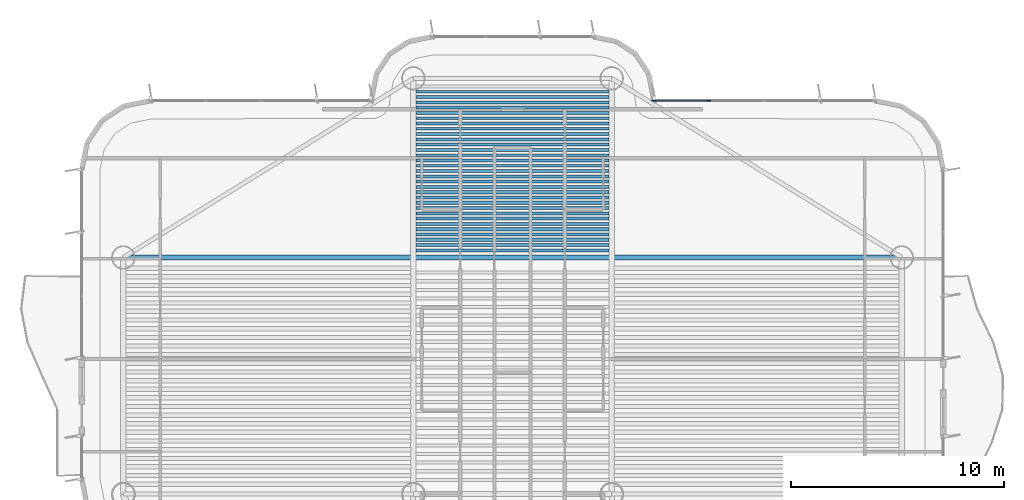
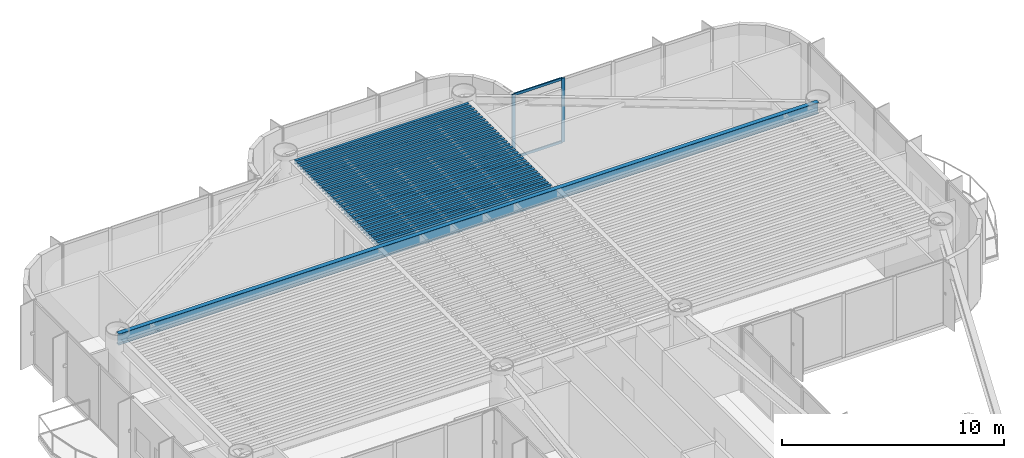
# One storey, part 6 of 15: 32 beams, 4 members, 1 element without a shape of its own.
"""IFC4 building model written with IfcOpenShell, lengths in metres."""

from ifc_helpers import new_model, si_unit, direction, frame, origin, origin_2d, place, context, subcontext, project, spatial, rectangle, i_section, extrude, source, transform, mapped, material, layer, layer_set, material_profile, profile_set, type_object, element, aggregate, save


model = new_model("IFC4")

# Units and contexts
model_context = context("Model", 3, precision=1e-05, world=origin(), true_north=direction((0.0, 1.0)))
body_context = subcontext(model_context, "Body", "Model", "MODEL_VIEW")
ifc_project = project(units=[si_unit("LENGTHUNIT", "METRE"), si_unit("AREAUNIT", "SQUARE_METRE"), si_unit("VOLUMEUNIT", "CUBIC_METRE"), si_unit("PLANEANGLEUNIT", "RADIAN"), si_unit("MASSUNIT", "GRAM", prefix="KILO")], contexts=[model_context])

# Site, building, storey
site_placement = place(None, origin())
site = spatial("IfcSite", under=ifc_project, at=site_placement, CompositionType="ELEMENT")
building_placement = place(site_placement, origin())
building = spatial("IfcBuilding", under=site, at=building_placement, Name="Brelvock Crest Care Tower", CompositionType="ELEMENT")
storey_placement = place(building_placement, frame((0.0, 0.0, 163.97998046875)))
storey = spatial("IfcBuildingStorey", under=building, at=storey_placement, Name="L41", CompositionType="ELEMENT", Elevation=163.97998046875)

# Beams
ifc_material_1 = material(Name="Steel Grade 350", Category="steel")
ifc_material_profile_1 = material_profile(ifc_material_1, i_section(OverallWidth=0.14599609375, OverallDepth=0.256103515625, WebThickness=0.00634765625, FlangeThickness=0.010986328125, FilletRadius=0.0087890625, at=origin_2d()), Name="250UB37.3")
ifc_profile_set_1 = profile_set([ifc_material_profile_1], Name="Steel Grade 350")
beam_type_1 = type_object("IfcBeamType", Name="BM-J3", PredefinedType="JOIST", material=ifc_profile_set_1)
shared_shape_1 = source(origin(), body_context, "Body", "SweptSolid", [
    extrude(i_section(OverallWidth=0.14599609375, OverallDepth=0.256103515625, WebThickness=0.00634765625, FlangeThickness=0.010986328125, FilletRadius=0.0087890625, at=origin_2d()), origin(), (0.0, 0.0, 1.0), 9.06982421875),
])
for number, where, z_axis, x_axis, name in (
    (1, (31.465087890625, 46.385986328125, 3.402099609375), (1.0, 0.0, 0.0), (0.0, 1.0, 0.0), "BM-JN-L41-1"),
    (2, (31.465087890625, 46.6337890625, 3.402099609375), (1.0, 0.0, 0.0), (0.0, 1.0, 0.0), "BM-JN-L41-2"),
    (3, (31.465087890625, 46.881591796875, 3.402099609375), (1.0, 0.0, 0.0), (0.0, 1.0, 0.0), "BM-JN-L41-3"),
    (4, (31.465087890625, 47.12939453125, 3.402099609375), (1.0, 0.0, 0.0), (0.0, 1.0, 0.0), "BM-JN-L41-4"),
    (5, (31.465087890625, 47.377197265625, 3.402099609375), (1.0, 0.0, 0.0), (0.0, 1.0, 0.0), "BM-JN-L41-5"),
    (6, (31.465087890625, 47.625, 3.402099609375), (1.0, 0.0, 0.0), (0.0, 1.0, 0.0), "BM-JN-L41-6"),
    (7, (31.465087890625, 47.872802734375, 3.402099609375), (1.0, 0.0, 0.0), (0.0, 1.0, 0.0), "BM-JN-L41-7"),
    (8, (31.465087890625, 48.12060546875, 3.402099609375), (1.0, 0.0, 0.0), (0.0, 1.0, 0.0), "BM-JN-L41-8"),
    (9, (31.465087890625, 48.368408203125, 3.402099609375), (1.0, 0.0, 0.0), (0.0, 1.0, 0.0), "BM-JN-L41-9"),
    (10, (31.465087890625, 48.6162109375, 3.402099609375), (1.0, 0.0, 0.0), (0.0, 1.0, 0.0), "BM-JN-L41-10"),
    (11, (31.465087890625, 48.864013671875, 3.402099609375), (1.0, 0.0, 0.0), (0.0, 1.0, 0.0), "BM-JN-L41-11"),
    (12, (31.465087890625, 49.11181640625, 3.402099609375), (1.0, 0.0, 0.0), (0.0, 1.0, 0.0), "BM-JN-L41-12"),
    (13, (31.465087890625, 49.359619140625, 3.402099609375), (1.0, 0.0, 0.0), (0.0, 1.0, 0.0), "BM-JN-L41-13"),
):
    element("IfcBeam", number, at=place(storey_placement, frame(where, z_axis=z_axis, x_axis=x_axis)), inside=storey, type_object=beam_type_1, Name=name, PredefinedType="JOIST", context=body_context, shape_type="MappedRepresentation", body=[
        mapped(shared_shape_1, transform((0.0, 0.0, 0.0), x_axis=(1.0, 0.0, 0.0), y_axis=(0.0, 1.0, 0.0), z_axis=(0.0, 0.0, 1.0), scale=1.0)),
    ])
ifc_material_profile_2 = material_profile(ifc_material_1, i_section(OverallWidth=0.134033203125, OverallDepth=0.20703125, WebThickness=0.00634765625, FlangeThickness=0.009521484375, FilletRadius=0.0087890625, at=origin_2d()), Name="200UB29.8")
ifc_profile_set_2 = profile_set([ifc_material_profile_2], Name="Steel Grade 350")
beam_type_2 = type_object("IfcBeamType", Name="BM-J4", PredefinedType="JOIST", material=ifc_profile_set_2)
shared_shape_2 = source(origin(), body_context, "Body", "SweptSolid", [
    extrude(i_section(OverallWidth=0.134033203125, OverallDepth=0.20703125, WebThickness=0.00634765625, FlangeThickness=0.009521484375, FilletRadius=0.0087890625, at=origin_2d()), origin(), (0.0, 0.0, 1.0), 9.06982421875),
])
for number, where, z_axis, x_axis, name in (
    (14, (31.465087890625, 49.607421875, 3.426513671875), (1.0, 0.0, 0.0), (0.0, 1.0, 0.0), "BM-JN-L41-14"),
    (15, (31.465087890625, 49.855224609375, 3.426513671875), (1.0, 0.0, 0.0), (0.0, 1.0, 0.0), "BM-JN-L41-15"),
    (16, (31.465087890625, 50.10302734375, 3.426513671875), (1.0, 0.0, 0.0), (0.0, 1.0, 0.0), "BM-JN-L41-16"),
    (17, (31.465087890625, 50.350830078125, 3.426513671875), (1.0, 0.0, 0.0), (0.0, 1.0, 0.0), "BM-JN-L41-17"),
    (18, (31.465087890625, 50.5986328125, 3.426513671875), (1.0, 0.0, 0.0), (0.0, 1.0, 0.0), "BM-JN-L41-18"),
    (19, (31.465087890625, 50.846435546875, 3.426513671875), (1.0, 0.0, 0.0), (0.0, 1.0, 0.0), "BM-JN-L41-19"),
    (20, (31.465087890625, 51.09423828125, 3.426513671875), (1.0, 0.0, 0.0), (0.0, 1.0, 0.0), "BM-JN-L41-20"),
    (21, (31.465087890625, 51.342041015625, 3.426513671875), (1.0, 0.0, 0.0), (0.0, 1.0, 0.0), "BM-JN-L41-21"),
    (22, (31.465087890625, 51.58984375, 3.426513671875), (1.0, 0.0, 0.0), (0.0, 1.0, 0.0), "BM-JN-L41-22"),
    (23, (31.465087890625, 51.837646484375, 3.426513671875), (1.0, 0.0, 0.0), (0.0, 1.0, 0.0), "BM-JN-L41-23"),
    (24, (31.465087890625, 52.08544921875, 3.426513671875), (1.0, 0.0, 0.0), (0.0, 1.0, 0.0), "BM-JN-L41-24"),
    (25, (31.465087890625, 52.333251953125, 3.426513671875), (1.0, 0.0, 0.0), (0.0, 1.0, 0.0), "BM-JN-L41-25"),
    (26, (31.465087890625, 52.5810546875, 3.426513671875), (1.0, 0.0, 0.0), (0.0, 1.0, 0.0), "BM-JN-L41-26"),
    (27, (31.465087890625, 52.828857421875, 3.426513671875), (1.0, 0.0, 0.0), (0.0, 1.0, 0.0), "BM-JN-L41-27"),
    (28, (31.465087890625, 53.07666015625, 3.426513671875), (1.0, 0.0, 0.0), (0.0, 1.0, 0.0), "BM-JN-L41-28"),
    (29, (31.465087890625, 53.324462890625, 3.426513671875), (1.0, 0.0, 0.0), (0.0, 1.0, 0.0), "BM-JN-L41-29"),
    (30, (31.465087890625, 53.572265625, 3.426513671875), (1.0, 0.0, 0.0), (0.0, 1.0, 0.0), "BM-JN-L41-30"),
    (31, (31.465087890625, 53.820068359375, 3.426513671875), (1.0, 0.0, 0.0), (0.0, 1.0, 0.0), "BM-JN-L41-31"),
):
    element("IfcBeam", number, at=place(storey_placement, frame(where, z_axis=z_axis, x_axis=x_axis)), inside=storey, type_object=beam_type_2, Name=name, PredefinedType="JOIST", context=body_context, shape_type="MappedRepresentation", body=[
        mapped(shared_shape_2, transform((0.0, 0.0, 0.0), x_axis=(1.0, 0.0, 0.0), y_axis=(0.0, 1.0, 0.0), z_axis=(0.0, 0.0, 1.0), scale=1.0)),
    ])
ifc_material_profile_3 = material_profile(ifc_material_1, i_section(OverallWidth=0.22900390625, OverallDepth=0.612060546875, WebThickness=0.011962890625, FlangeThickness=0.01953125, FilletRadius=0.013916015625, at=origin_2d()), Name="610UB125")
ifc_profile_set_3 = profile_set([ifc_material_profile_3], Name="Steel Grade 350")
beam_type_3 = type_object("IfcBeamType", Name="BM-G1", PredefinedType="BEAM", material=ifc_profile_set_3)
shared_shape_3 = source(origin(), body_context, "Body", "SweptSolid", [
    extrude(i_section(OverallWidth=0.22900390625, OverallDepth=0.612060546875, WebThickness=0.011962890625, FlangeThickness=0.01953125, FilletRadius=0.013916015625, at=origin_2d()), origin(), (0.0, 0.0, 1.0), 36.5),
])
beam_placement = place(storey_placement, frame((17.75, 46.050048828125, 3.22412109375), z_axis=(1.0, 0.0, 0.0), x_axis=(0.0, 1.0, 0.0)))
element("IfcBeam", 32, at=beam_placement, inside=storey, type_object=beam_type_3, Name="BM-TWR-L41-11", PredefinedType="BEAM", context=body_context, shape_type="MappedRepresentation", body=[
    mapped(shared_shape_3, transform((0.0, 0.0, 0.0), x_axis=(1.0, 0.0, 0.0), y_axis=(0.0, 1.0, 0.0), z_axis=(0.0, 0.0, 1.0), scale=1.0)),
])

# Curtain wall, members
ifc_material_2 = material(Name="Dark Glass Double Glazed Low-E", Category="glass")
ifc_layer = layer(ifc_material_2, 0.22509765625, Name="CWS-4")
ifc_layer_set = layer_set([ifc_layer], Name="Dark Glass Double Glazed Low-E")
curtain_wall_type = type_object("IfcCurtainWallType", Name="CWS-4", PredefinedType="NOTDEFINED", material=ifc_layer_set)
curtain_wall_placement = place(storey_placement, origin())
curtain_wall = element("IfcCurtainWall", 33, at=curtain_wall_placement, inside=storey, type_object=curtain_wall_type, Name="L41 Curtain Wall E34", PredefinedType="NOTDEFINED")
ifc_material_3 = material(Name="Aluminium 6063-T6", Category="aluminium")
ifc_material_profile_4 = material_profile(ifc_material_3, rectangle(XDim=0.06005859375, YDim=0.179931640625, at=origin_2d()), Name="ALU60x180")
ifc_profile_set_4 = profile_set([ifc_material_profile_4], Name="Aluminium 6063-T6")
member_type_1 = type_object("IfcMemberType", Name="CWM-2", PredefinedType="MULLION", material=ifc_profile_set_4)
shared_shape_4 = source(origin(), body_context, "Body", "SweptSolid", [
    extrude(rectangle(XDim=0.06005859375, YDim=0.179931640625, at=origin_2d()), origin(), (0.0, 0.0, 1.0), 3.530029296875),
])
member_1_placement = place(storey_placement, frame((42.6298828125, 53.39990234375, 0.0), z_axis=(0.0, 0.0, 1.0), x_axis=(0.0, 1.0, 0.0)))
member_1 = element("IfcMember", 34, at=member_1_placement, type_object=member_type_1, Name="CW-4 mullion 1", PredefinedType="MULLION", context=body_context, shape_type="MappedRepresentation", body=[
    mapped(shared_shape_4, transform((0.0, 0.0, 0.0), x_axis=(1.0, 0.0, 0.0), y_axis=(0.0, 1.0, 0.0), z_axis=(0.0, 0.0, 1.0), scale=1.0)),
])
member_2_placement = place(storey_placement, frame((45.199951171875, 53.39990234375, 0.0), z_axis=(0.0, 0.0, 1.0), x_axis=(0.0, 1.0, 0.0)))
member_2 = element("IfcMember", 35, at=member_2_placement, type_object=member_type_1, Name="CW-4 mullion 2", PredefinedType="MULLION", context=body_context, shape_type="MappedRepresentation", body=[
    mapped(shared_shape_4, transform((0.0, 0.0, 0.0), x_axis=(1.0, 0.0, 0.0), y_axis=(0.0, 1.0, 0.0), z_axis=(0.0, 0.0, 1.0), scale=1.0)),
])
ifc_material_profile_5 = material_profile(ifc_material_3, rectangle(XDim=0.06005859375, YDim=0.139892578125, at=origin_2d()), Name="ALU60x140")
ifc_profile_set_5 = profile_set([ifc_material_profile_5], Name="Aluminium 6063-T6")
member_type_2 = type_object("IfcMemberType", Name="CWT-2", PredefinedType="USERDEFINED", material=ifc_profile_set_5)
shared_shape_5 = source(origin(), body_context, "Body", "SweptSolid", [
    extrude(rectangle(XDim=0.06005859375, YDim=0.139892578125, at=origin_2d()), origin(), (0.0, 0.0, 1.0), 2.510009765625),
])
member_3_placement = place(storey_placement, frame((42.659912109375, 53.39990234375, 0.030029296875), z_axis=(1.0, 0.0, 0.0), x_axis=(0.0, 1.0, 0.0)))
member_3 = element("IfcMember", 36, at=member_3_placement, type_object=member_type_2, Name="CW-4 transom 1.1", ObjectType="TRANSOM", PredefinedType="USERDEFINED", context=body_context, shape_type="MappedRepresentation", body=[
    mapped(shared_shape_5, transform((0.0, 0.0, 0.0), x_axis=(1.0, 0.0, 0.0), y_axis=(0.0, 1.0, 0.0), z_axis=(0.0, 0.0, 1.0), scale=1.0)),
])
member_4_placement = place(storey_placement, frame((42.659912109375, 53.39990234375, 3.5), z_axis=(1.0, 0.0, 0.0), x_axis=(0.0, 1.0, 0.0)))
member_4 = element("IfcMember", 37, at=member_4_placement, type_object=member_type_2, Name="CW-4 transom 1.2", ObjectType="TRANSOM", PredefinedType="USERDEFINED", context=body_context, shape_type="MappedRepresentation", body=[
    mapped(shared_shape_5, transform((0.0, 0.0, 0.0), x_axis=(1.0, 0.0, 0.0), y_axis=(0.0, 1.0, 0.0), z_axis=(0.0, 0.0, 1.0), scale=1.0)),
])
aggregate(curtain_wall, [member_1, member_2, member_3, member_4])

save(model, "model.ifc")
